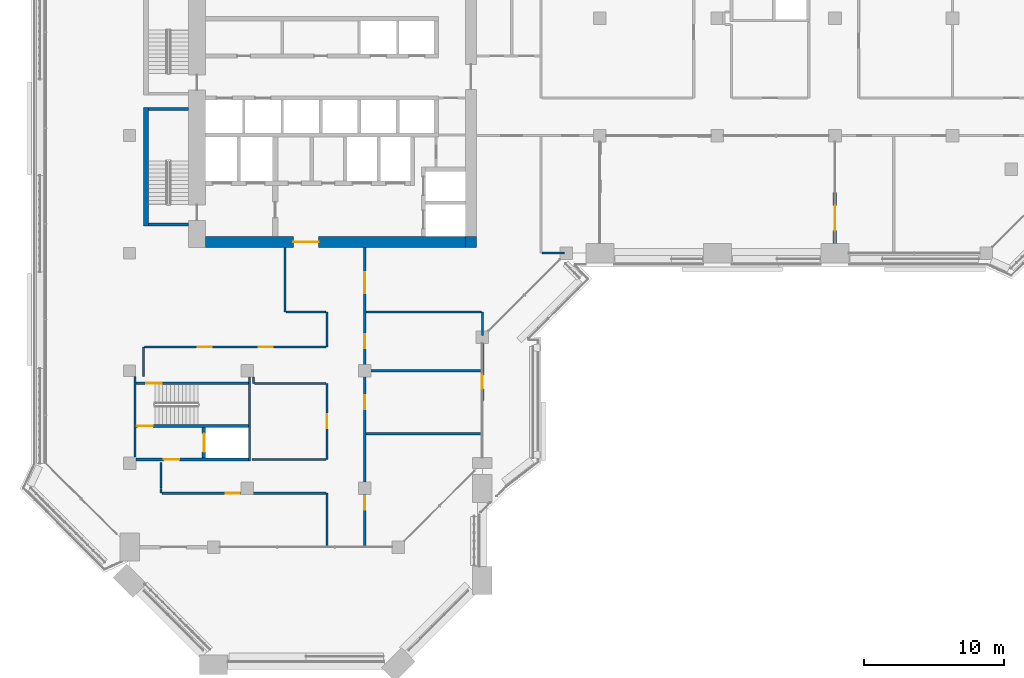
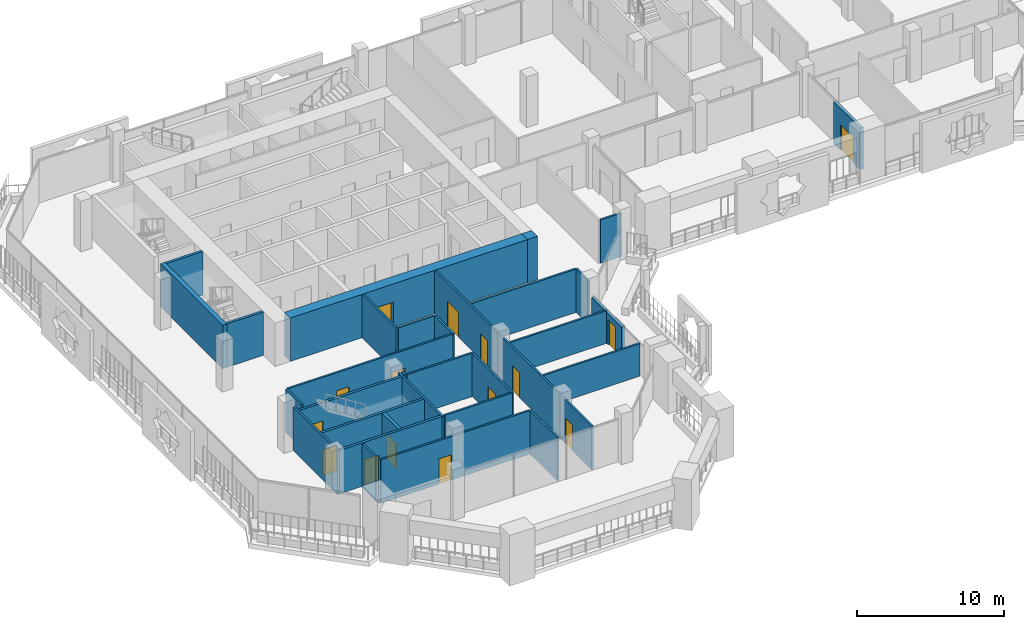
# One storey, part 12 of 24: 32 walls, 15 doors, 15 openings.
"""IFC4 building model written with IfcOpenShell, lengths in metres."""

from ifc_helpers import new_model, si_unit, direction, frame, frame_2d, origin, place, context, subcontext, project, spatial, rectangle, extrude, material, layer, layer_set, type_object, element, fill, save


model = new_model("IFC4")

# Units and contexts
model_context = context("Model", 3, precision=1e-05, world=origin(), true_north=direction((0.0, 1.0)))
body_context = subcontext(model_context, "Body", "Model", "MODEL_VIEW")
ifc_project = project(units=[si_unit("LENGTHUNIT", "METRE"), si_unit("AREAUNIT", "SQUARE_METRE"), si_unit("VOLUMEUNIT", "CUBIC_METRE"), si_unit("PLANEANGLEUNIT", "RADIAN"), si_unit("MASSUNIT", "GRAM", prefix="KILO")], contexts=[model_context])

# Site, building, storey
site_placement = place(None, origin())
site = spatial("IfcSite", under=ifc_project, at=site_placement, CompositionType="ELEMENT")
building_placement = place(site_placement, origin())
building = spatial("IfcBuilding", under=site, at=building_placement, Name="Kawkab Arch Medical Tower", CompositionType="ELEMENT")
storey_placement = place(building_placement, frame((0.0, 0.0, 218.0)))
storey = spatial("IfcBuildingStorey", under=building, at=storey_placement, Name="L50", CompositionType="ELEMENT", Elevation=218.0)

# Wall, opening, door
ifc_material_1 = material(Name="Concrete C50/60", Category="concrete")
ifc_layer_1 = layer(ifc_material_1, 0.800048828125)
ifc_layer_set_1 = layer_set([ifc_layer_1], Name="Concrete C50/60")
wall_type_1 = type_object("IfcWallType", Name="Core ring wall 800 C50/60", PredefinedType="SHEAR", material=ifc_layer_set_1)
wall_1_placement = place(storey_placement, frame((5.39990234375, -24.39990234375, 0.0), z_axis=(0.0, 0.0, 1.0), x_axis=(1.0, 0.0, 0.0)))
wall_1 = element("IfcWall", 1, at=wall_1_placement, inside=storey, type_object=wall_type_1, Name="L50 core wall", PredefinedType="SHEAR", context=body_context, shape_type="SweptSolid", body=[
    extrude(rectangle(XDim=18.60009765625, YDim=0.800048828125, at=frame_2d((9.300048828125, 0.0))), origin(), (0.0, 0.0, 1.0), 3.60009765625),
])
opening_1_placement = place(wall_1_placement, frame((6.300048828125, 0.0, 0.0)))
opening_1 = element("IfcOpeningElement", 2, at=opening_1_placement, cuts=wall_1, Name="Opening PD", PredefinedType="OPENING", context=body_context, shape_type="SweptSolid", body=[
    extrude(rectangle(XDim=1.800048828125, YDim=2.10009765625, at=frame_2d((0.89990234375, 1.050048828125))), frame((0.0, 0.409912109375, 0.0), z_axis=(0.0, -1.0, 0.0), x_axis=(1.0, 0.0, 0.0)), (0.0, 0.0, 1.0), 0.820068359375),
])
ifc_material_2 = material(Name="Hollow metal fire door leaf")
door_type_1 = type_object("IfcDoorType", Name="Core entrance doors 1800", OperationType="DOUBLE_DOOR_SINGLE_SWING", PredefinedType="DOOR", material=ifc_material_2)
door_1_placement = place(opening_1_placement, origin())
door_1 = element("IfcDoor", 3, at=door_1_placement, inside=storey, type_object=door_type_1, Name="L50 South entrance doors", OperationType="DOUBLE_DOOR_SINGLE_SWING", OverallHeight=2.10009765625, OverallWidth=1.800048828125, PredefinedType="DOOR", context=body_context, shape_type="SweptSolid", body=[
    extrude(rectangle(XDim=1.800048828125, YDim=2.10009765625, at=frame_2d((0.89990234375, 1.050048828125))), frame((0.0, 0.02490234375, 0.0), z_axis=(0.0, -1.0, 0.0), x_axis=(1.0, 0.0, 0.0)), (0.0, 0.0, 1.0), 0.050048828125),
])
fill(opening_1, door_1)

# Wall
wall_2_placement = place(storey_placement, frame((24.39990234375, -24.800048828125, 0.0), z_axis=(0.0, 0.0, 1.0), x_axis=(0.0, 1.0, 0.0)))
element("IfcWall", 4, at=wall_2_placement, inside=storey, type_object=wall_type_1, Name="L50 core wall", PredefinedType="SHEAR", context=body_context, shape_type="SweptSolid", body=[
    extrude(rectangle(XDim=0.800048828125, YDim=0.800048828125, at=frame_2d((0.39990234375, 0.0))), origin(), (0.0, 0.0, 1.0), 3.60009765625),
])

# Wall, opening, door
ifc_material_3 = material(Name="Concrete C60/75", Category="concrete")
ifc_layer_2 = layer(ifc_material_3, 0.25)
ifc_layer_set_2 = layer_set([ifc_layer_2], Name="Concrete C60/75")
wall_type_2 = type_object("IfcWallType", Name="Core shear wall 250 C60/75", PredefinedType="SHEAR", material=ifc_layer_set_2)
wall_3_placement = place(storey_placement, frame((5.300048828125, -39.85009765625, 0.0), z_axis=(0.0, 0.0, 1.0), x_axis=(0.0, 1.0, 0.0)))
wall_3 = element("IfcWall", 5, at=wall_3_placement, inside=storey, type_object=wall_type_2, Name="L50 core shear wall", PredefinedType="SHEAR", context=body_context, shape_type="SweptSolid", body=[
    extrude(rectangle(XDim=2.2001953125, YDim=0.25, at=frame_2d((1.10009765625, 0.0))), origin(), (0.0, 0.0, 1.0), 3.60009765625),
])
opening_2_placement = place(wall_3_placement, frame((0.449951171875, 0.0, 0.0)))
opening_2 = element("IfcOpeningElement", 6, at=opening_2_placement, cuts=wall_3, Name="Opening LD2", PredefinedType="OPENING", context=body_context, shape_type="SweptSolid", body=[
    extrude(rectangle(XDim=1.300048828125, YDim=2.10009765625, at=frame_2d((0.64990234375, 1.050048828125))), frame((0.0, 0.135009765625, 0.0), z_axis=(0.0, -1.0, 0.0), x_axis=(1.0, 0.0, 0.0)), (0.0, 0.0, 1.0), 0.27001953125),
])
ifc_material_4 = material(Name="Stainless steel lift door leaf", Category="steel")
door_type_2 = type_object("IfcDoorType", Name="Lift landing door 1300", OperationType="DOUBLE_DOOR_SLIDING", PredefinedType="DOOR", material=ifc_material_4)
door_2_placement = place(opening_2_placement, origin())
door_2 = element("IfcDoor", 7, at=door_2_placement, inside=storey, type_object=door_type_2, Name="L50 Lift landing door SV2", OperationType="DOUBLE_DOOR_SLIDING", OverallHeight=2.10009765625, OverallWidth=1.300048828125, PredefinedType="DOOR", context=body_context, shape_type="SweptSolid", body=[
    extrude(rectangle(XDim=1.300048828125, YDim=2.10009765625, at=frame_2d((0.64990234375, 1.050048828125))), frame((0.0, 0.02490234375, 0.0), z_axis=(0.0, -1.0, 0.0), x_axis=(1.0, 0.0, 0.0)), (0.0, 0.0, 1.0), 0.050048828125),
])
fill(opening_2, door_2)

ifc_material_5 = material(Name="Bronze clad insulated wall panel")
ifc_layer_3 = layer(ifc_material_5, 0.25)
ifc_layer_set_3 = layer_set([ifc_layer_3], Name="Bronze clad insulated wall panel")
wall_type_3 = type_object("IfcWallType", Name="External wall bay 250", PredefinedType="SOLIDWALL", material=ifc_layer_set_3)
wall_4_placement = place(storey_placement, frame((50.39990234375, -20.875, 0.0), z_axis=(0.0, 0.0, 1.0), x_axis=(0.0, -1.0, 0.0)))
wall_4 = element("IfcWall", 8, at=wall_4_placement, inside=storey, type_object=wall_type_3, Name="External wall bay L50.R04.1.2", PredefinedType="SOLIDWALL", context=body_context, shape_type="SweptSolid", body=[
    extrude(rectangle(XDim=3.625, YDim=0.25, at=frame_2d((1.8125, 0.0))), origin(), (0.0, 0.0, 1.0), 3.4599609375),
])
opening_3_placement = place(wall_4_placement, frame((0.91259765625, 0.0, 0.0)))
opening_3 = element("IfcOpeningElement", 9, at=opening_3_placement, cuts=wall_4, Name="Opening B50-701", PredefinedType="OPENING", context=body_context, shape_type="SweptSolid", body=[
    extrude(rectangle(XDim=1.800048828125, YDim=2.10009765625, at=frame_2d((0.89990234375, 1.050048828125))), frame((0.0, 0.135009765625, 0.0), z_axis=(0.0, -1.0, 0.0), x_axis=(1.0, 0.0, 0.0)), (0.0, 0.0, 1.0), 0.27001953125),
])
ifc_material_6 = material(Name="Bronze anodised aluminium door with tinted glass", Category="aluminium")
door_type_3 = type_object("IfcDoorType", Name="Double external door 1800 x 2100", OperationType="DOUBLE_DOOR_SINGLE_SWING", PredefinedType="DOOR", material=ifc_material_6)
door_3_placement = place(opening_3_placement, origin())
door_3 = element("IfcDoor", 10, at=door_3_placement, inside=storey, type_object=door_type_3, Name="External door L50.R04.1.2", OperationType="DOUBLE_DOOR_SINGLE_SWING", OverallHeight=2.10009765625, OverallWidth=1.800048828125, PredefinedType="DOOR", context=body_context, shape_type="SweptSolid", body=[
    extrude(rectangle(XDim=1.800048828125, YDim=2.10009765625, at=frame_2d((0.89990234375, 1.050048828125))), frame((0.0, 0.02490234375, 0.0), z_axis=(0.0, -1.0, 0.0), x_axis=(1.0, 0.0, 0.0)), (0.0, 0.0, 1.0), 0.050048828125),
])
fill(opening_3, door_3)

wall_5_placement = place(storey_placement, frame((25.199951171875, -35.72509765625, 0.0), z_axis=(0.0, 0.0, 1.0), x_axis=(0.0, 1.0, 0.0)))
wall_5 = element("IfcWall", 11, at=wall_5_placement, inside=storey, type_object=wall_type_3, Name="External wall bay L50.R15.1.2", PredefinedType="SOLIDWALL", context=body_context, shape_type="SweptSolid", body=[
    extrude(rectangle(XDim=4.0751953125, YDim=0.25, at=frame_2d((2.03759765625, 0.0))), origin(), (0.0, 0.0, 1.0), 2.580078125),
])
opening_4_placement = place(wall_5_placement, frame((0.83740234375, 0.0, 0.0)))
opening_4 = element("IfcOpeningElement", 12, at=opening_4_placement, cuts=wall_5, Name="Opening B50-702", PredefinedType="OPENING", context=body_context, shape_type="SweptSolid", body=[
    extrude(rectangle(XDim=1.0, YDim=2.10009765625, at=frame_2d((0.5, 1.050048828125))), frame((0.0, 0.135009765625, 0.0), z_axis=(0.0, -1.0, 0.0), x_axis=(1.0, 0.0, 0.0)), (0.0, 0.0, 1.0), 0.27001953125),
])
ifc_material_7 = material(Name="Bronze anodised aluminium door with tinted glass", Category="aluminium")
door_type_4 = type_object("IfcDoorType", Name="Single external door 1000 x 2100", OperationType="SINGLE_SWING_LEFT", PredefinedType="DOOR", material=ifc_material_7)
door_4_placement = place(opening_4_placement, origin())
door_4 = element("IfcDoor", 13, at=door_4_placement, inside=storey, type_object=door_type_4, Name="External door L50.R15.1.2", OperationType="SINGLE_SWING_LEFT", OverallHeight=2.10009765625, OverallWidth=1.0, PredefinedType="DOOR", context=body_context, shape_type="SweptSolid", body=[
    extrude(rectangle(XDim=1.0, YDim=2.10009765625, at=frame_2d((0.5, 1.050048828125))), frame((0.0, 0.02490234375, 0.0), z_axis=(0.0, -1.0, 0.0), x_axis=(1.0, 0.0, 0.0)), (0.0, 0.0, 1.0), 0.050048828125),
])
fill(opening_4, door_4)

ifc_material_8 = material(Name="Gypsum board partition on steel studs, mineral wool", Category="steel")
ifc_layer_4 = layer(ifc_material_8, 0.14990234375)
ifc_layer_set_4 = layer_set([ifc_layer_4], Name="Gypsum board partition on steel studs, mineral wool")
wall_type_4 = type_object("IfcWallType", Name="Partition 150", PredefinedType="PARTITIONING", material=ifc_layer_set_4)
wall_6_placement = place(storey_placement, frame((2.326904296875, -42.35009765625, 0.0), z_axis=(0.0, 0.0, 1.0), x_axis=(1.0, 0.0, 0.0)))
wall_6 = element("IfcWall", 14, at=wall_6_placement, inside=storey, type_object=wall_type_4, Name="Partition 150 w001", PredefinedType="PARTITIONING", context=body_context, shape_type="SweptSolid", body=[
    extrude(rectangle(XDim=11.697998046875, YDim=0.14990234375, at=frame_2d((5.84912109375, 0.0))), origin(), (0.0, 0.0, 1.0), 3.60009765625),
])
opening_5_placement = place(wall_6_placement, frame((4.549072265625, 0.0, 0.0)))
opening_5 = element("IfcOpeningElement", 15, at=opening_5_placement, cuts=wall_6, Name="Opening B50-013", PredefinedType="OPENING", context=body_context, shape_type="SweptSolid", body=[
    extrude(rectangle(XDim=1.0, YDim=2.10009765625, at=frame_2d((0.5, 1.050048828125))), frame((0.0, 0.0849609375, 0.0), z_axis=(0.0, -1.0, 0.0), x_axis=(1.0, 0.0, 0.0)), (0.0, 0.0, 1.0), 0.169921875),
])
ifc_material_9 = material(Name="Hollow metal door leaf")
door_type_5 = type_object("IfcDoorType", Name="Single door 1000x2100 FD30S", OperationType="NOTDEFINED", PredefinedType="DOOR", material=ifc_material_9)
door_5_placement = place(opening_5_placement, origin())
door_5 = element("IfcDoor", 16, at=door_5_placement, inside=storey, type_object=door_type_5, Name="Door B50-013", OperationType="SINGLE_SWING_RIGHT", OverallHeight=2.10009765625, OverallWidth=1.0, PredefinedType="DOOR", context=body_context, shape_type="SweptSolid", body=[
    extrude(rectangle(XDim=1.0, YDim=2.10009765625, at=frame_2d((0.5, 1.050048828125))), frame((0.0, 0.02490234375, 0.0), z_axis=(0.0, -1.0, 0.0), x_axis=(1.0, 0.0, 0.0)), (0.0, 0.0, 1.0), 0.050048828125),
])
fill(opening_5, door_5)

# Walls
wall_7_placement = place(storey_placement, frame((8.72998046875, -39.949951171875, 0.0), z_axis=(0.0, 0.0, 1.0), x_axis=(1.0, 0.0, 0.0)))
element("IfcWall", 17, at=wall_7_placement, inside=storey, type_object=wall_type_4, Name="Partition 150 w002", PredefinedType="PARTITIONING", context=body_context, shape_type="SweptSolid", body=[
    extrude(rectangle(XDim=5.294921875, YDim=0.14990234375, at=frame_2d((2.6474609375, 0.0))), origin(), (0.0, 0.0, 1.0), 3.60009765625),
])
wall_8_placement = place(storey_placement, frame((16.875, -38.10009765625, 0.0), z_axis=(0.0, 0.0, 1.0), x_axis=(1.0, 0.0, 0.0)))
element("IfcWall", 18, at=wall_8_placement, inside=storey, type_object=wall_type_4, Name="Partition 150 w003", PredefinedType="PARTITIONING", context=body_context, shape_type="SweptSolid", body=[
    extrude(rectangle(XDim=8.2451171875, YDim=0.14990234375, at=frame_2d((4.12255859375, 0.0))), origin(), (0.0, 0.0, 1.0), 2.699951171875),
])
wall_9_placement = place(storey_placement, frame((8.925048828125, -34.5, 0.0), z_axis=(0.0, 0.0, 1.0), x_axis=(1.0, 0.0, 0.0)))
element("IfcWall", 19, at=wall_9_placement, inside=storey, type_object=wall_type_4, Name="Partition 150 w004", PredefinedType="PARTITIONING", context=body_context, shape_type="SweptSolid", body=[
    extrude(rectangle(XDim=5.099853515625, YDim=0.14990234375, at=frame_2d((2.5498046875, 0.0))), origin(), (0.0, 0.0, 1.0), 3.60009765625),
])
wall_10_placement = place(storey_placement, frame((16.875, -33.60009765625, 0.0), z_axis=(0.0, 0.0, 1.0), x_axis=(1.0, 0.0, 0.0)))
element("IfcWall", 20, at=wall_10_placement, inside=storey, type_object=wall_type_4, Name="Partition 150 w005", PredefinedType="PARTITIONING", context=body_context, shape_type="SweptSolid", body=[
    extrude(rectangle(XDim=8.2451171875, YDim=0.14990234375, at=frame_2d((4.12255859375, 0.0))), origin(), (0.0, 0.0, 1.0), 2.699951171875),
])

# Wall, openings, doors
wall_11_placement = place(storey_placement, frame((1.074951171875, -31.906982421875, 0.0), z_axis=(0.0, 0.0, 1.0), x_axis=(1.0, 0.0, 0.0)))
wall_11 = element("IfcWall", 21, at=wall_11_placement, inside=storey, type_object=wall_type_4, Name="Partition 150 w006", PredefinedType="PARTITIONING", context=body_context, shape_type="SweptSolid", body=[
    extrude(rectangle(XDim=12.949951171875, YDim=0.14990234375, at=frame_2d((6.47509765625, 0.0))), origin(), (0.0, 0.0, 1.0), 3.60009765625),
])
opening_6_placement = place(wall_11_placement, frame((3.7919921875, 0.0, 0.0)))
opening_6 = element("IfcOpeningElement", 22, at=opening_6_placement, cuts=wall_11, Name="Opening B50-011", PredefinedType="OPENING", context=body_context, shape_type="SweptSolid", body=[
    extrude(rectangle(XDim=1.0, YDim=2.10009765625, at=frame_2d((0.5, 1.050048828125))), frame((0.0, 0.0849609375, 0.0), z_axis=(0.0, -1.0, 0.0), x_axis=(1.0, 0.0, 0.0)), (0.0, 0.0, 1.0), 0.169921875),
])
opening_7_placement = place(wall_11_placement, frame((8.157958984375, 0.0, 0.0)))
opening_7 = element("IfcOpeningElement", 23, at=opening_7_placement, cuts=wall_11, Name="Opening B50-012", PredefinedType="OPENING", context=body_context, shape_type="SweptSolid", body=[
    extrude(rectangle(XDim=1.0, YDim=2.10009765625, at=frame_2d((0.5, 1.050048828125))), frame((0.0, 0.0849609375, 0.0), z_axis=(0.0, -1.0, 0.0), x_axis=(1.0, 0.0, 0.0)), (0.0, 0.0, 1.0), 0.169921875),
])
door_6_placement = place(opening_6_placement, origin())
door_6 = element("IfcDoor", 24, at=door_6_placement, inside=storey, type_object=door_type_5, Name="Door B50-011", OperationType="SINGLE_SWING_LEFT", OverallHeight=2.10009765625, OverallWidth=1.0, PredefinedType="DOOR", context=body_context, shape_type="SweptSolid", body=[
    extrude(rectangle(XDim=1.0, YDim=2.10009765625, at=frame_2d((0.5, 1.050048828125))), frame((0.0, 0.02490234375, 0.0), z_axis=(0.0, -1.0, 0.0), x_axis=(1.0, 0.0, 0.0)), (0.0, 0.0, 1.0), 0.050048828125),
])
fill(opening_6, door_6)
door_7_placement = place(opening_7_placement, origin())
door_7 = element("IfcDoor", 25, at=door_7_placement, inside=storey, type_object=door_type_5, Name="Door B50-012", OperationType="SINGLE_SWING_RIGHT", OverallHeight=2.10009765625, OverallWidth=1.0, PredefinedType="DOOR", context=body_context, shape_type="SweptSolid", body=[
    extrude(rectangle(XDim=1.0, YDim=2.10009765625, at=frame_2d((0.5, 1.050048828125))), frame((0.0, 0.02490234375, 0.0), z_axis=(0.0, -1.0, 0.0), x_axis=(1.0, 0.0, 0.0)), (0.0, 0.0, 1.0), 0.050048828125),
])
fill(opening_7, door_7)

# Walls
wall_12_placement = place(storey_placement, frame((11.175048828125, -29.39990234375, 0.0), z_axis=(0.0, 0.0, 1.0), x_axis=(1.0, 0.0, 0.0)))
element("IfcWall", 26, at=wall_12_placement, inside=storey, type_object=wall_type_4, Name="Partition 150 w007", PredefinedType="PARTITIONING", context=body_context, shape_type="SweptSolid", body=[
    extrude(rectangle(XDim=2.849853515625, YDim=0.14990234375, at=frame_2d((1.4248046875, 0.0))), origin(), (0.0, 0.0, 1.0), 3.60009765625),
])
wall_13_placement = place(storey_placement, frame((16.875, -29.39990234375, 0.0), z_axis=(0.0, 0.0, 1.0), x_axis=(1.0, 0.0, 0.0)))
element("IfcWall", 27, at=wall_13_placement, inside=storey, type_object=wall_type_4, Name="Partition 150 w008", PredefinedType="PARTITIONING", context=body_context, shape_type="SweptSolid", body=[
    extrude(rectangle(XDim=8.25, YDim=0.14990234375, at=frame_2d((4.125, 0.0))), origin(), (0.0, 0.0, 1.0), 3.60009765625),
])
wall_14_placement = place(storey_placement, frame((29.47509765625, -25.199951171875, 0.0), z_axis=(0.0, 0.0, 1.0), x_axis=(1.0, 0.0, 0.0)))
element("IfcWall", 28, at=wall_14_placement, inside=storey, type_object=wall_type_4, Name="Partition 150 w009", PredefinedType="PARTITIONING", context=body_context, shape_type="SweptSolid", body=[
    extrude(rectangle(XDim=1.61181640625, YDim=0.14990234375, at=frame_2d((0.805908203125, 0.0))), origin(), (0.0, 0.0, 1.0), 3.60009765625),
])
wall_15_placement = place(storey_placement, frame((1.0, -34.027099609375, 0.0), z_axis=(0.0, 0.0, 1.0), x_axis=(0.0, 1.0, 0.0)))
element("IfcWall", 29, at=wall_15_placement, inside=storey, type_object=wall_type_4, Name="Partition 150 w020", PredefinedType="PARTITIONING", context=body_context, shape_type="SweptSolid", body=[
    extrude(rectangle(XDim=2.1201171875, YDim=0.14990234375, at=frame_2d((1.06005859375, 0.0))), origin(), (0.0, 0.0, 1.0), 3.60009765625),
])
wall_16_placement = place(storey_placement, frame((2.25, -42.347900390625, 0.0), z_axis=(0.0, 0.0, 1.0), x_axis=(0.0, 1.0, 0.0)))
element("IfcWall", 30, at=wall_16_placement, inside=storey, type_object=wall_type_4, Name="Partition 150 w021", PredefinedType="PARTITIONING", context=body_context, shape_type="SweptSolid", body=[
    extrude(rectangle(XDim=0.347900390625, YDim=0.14990234375, at=frame_2d((0.173828125, 0.0))), origin(), (0.0, 0.0, 1.0), 3.60009765625),
])
wall_17_placement = place(storey_placement, frame((2.25, -41.97998046875, 0.0), z_axis=(0.0, 0.0, 1.0), x_axis=(0.0, 1.0, 0.0)))
element("IfcWall", 31, at=wall_17_placement, inside=storey, type_object=wall_type_4, Name="Partition 150 w022", PredefinedType="PARTITIONING", context=body_context, shape_type="SweptSolid", body=[
    extrude(rectangle(XDim=1.830078125, YDim=0.14990234375, at=frame_2d((0.9150390625, 0.0))), origin(), (0.0, 0.0, 1.0), 3.60009765625),
])
wall_18_placement = place(storey_placement, frame((8.85009765625, -34.5, 0.0), z_axis=(0.0, 0.0, 1.0), x_axis=(0.0, 1.0, 0.0)))
element("IfcWall", 32, at=wall_18_placement, inside=storey, type_object=wall_type_4, Name="Partition 150 w023", PredefinedType="PARTITIONING", context=body_context, shape_type="SweptSolid", body=[
    extrude(rectangle(XDim=0.448974609375, YDim=0.14990234375, at=frame_2d((0.224609375, 0.0))), origin(), (0.0, 0.0, 1.0), 3.60009765625),
])
wall_19_placement = place(storey_placement, frame((11.10009765625, -29.39990234375, 0.0), z_axis=(0.0, 0.0, 1.0), x_axis=(0.0, 1.0, 0.0)))
element("IfcWall", 33, at=wall_19_placement, inside=storey, type_object=wall_type_4, Name="Partition 150 w024", PredefinedType="PARTITIONING", context=body_context, shape_type="SweptSolid", body=[
    extrude(rectangle(XDim=4.599853515625, YDim=0.14990234375, at=frame_2d((2.2998046875, 0.0))), origin(), (0.0, 0.0, 1.0), 3.60009765625),
])
wall_20_placement = place(storey_placement, frame((14.10009765625, -46.1201171875, 0.0), z_axis=(0.0, 0.0, 1.0), x_axis=(0.0, 1.0, 0.0)))
element("IfcWall", 34, at=wall_20_placement, inside=storey, type_object=wall_type_4, Name="Partition 150 w025", PredefinedType="PARTITIONING", context=body_context, shape_type="SweptSolid", body=[
    extrude(rectangle(XDim=3.77001953125, YDim=0.14990234375, at=frame_2d((1.885009765625, 0.0))), origin(), (0.0, 0.0, 1.0), 3.60009765625),
])

# Wall, opening, door
wall_21_placement = place(storey_placement, frame((14.10009765625, -39.949951171875, 0.0), z_axis=(0.0, 0.0, 1.0), x_axis=(0.0, 1.0, 0.0)))
wall_21 = element("IfcWall", 35, at=wall_21_placement, inside=storey, type_object=wall_type_4, Name="Partition 150 w026", PredefinedType="PARTITIONING", context=body_context, shape_type="SweptSolid", body=[
    extrude(rectangle(XDim=5.449951171875, YDim=0.14990234375, at=frame_2d((2.72509765625, 0.0))), origin(), (0.0, 0.0, 1.0), 3.60009765625),
])
opening_8_placement = place(wall_21_placement, frame((2.22509765625, 0.0, 0.0)))
opening_8 = element("IfcOpeningElement", 36, at=opening_8_placement, cuts=wall_21, Name="Opening B50-019", PredefinedType="OPENING", context=body_context, shape_type="SweptSolid", body=[
    extrude(rectangle(XDim=1.0, YDim=2.10009765625, at=frame_2d((0.5, 1.050048828125))), frame((0.0, 0.0849609375, 0.0), z_axis=(0.0, -1.0, 0.0), x_axis=(1.0, 0.0, 0.0)), (0.0, 0.0, 1.0), 0.169921875),
])
door_8_placement = place(opening_8_placement, origin())
door_8 = element("IfcDoor", 37, at=door_8_placement, inside=storey, type_object=door_type_5, Name="Door B50-019", OperationType="SINGLE_SWING_LEFT", OverallHeight=2.10009765625, OverallWidth=1.0, PredefinedType="DOOR", context=body_context, shape_type="SweptSolid", body=[
    extrude(rectangle(XDim=1.0, YDim=2.10009765625, at=frame_2d((0.5, 1.050048828125))), frame((0.0, 0.02490234375, 0.0), z_axis=(0.0, -1.0, 0.0), x_axis=(1.0, 0.0, 0.0)), (0.0, 0.0, 1.0), 0.050048828125),
])
fill(opening_8, door_8)

# Wall
wall_22_placement = place(storey_placement, frame((14.10009765625, -31.906982421875, 0.0), z_axis=(0.0, 0.0, 1.0), x_axis=(0.0, 1.0, 0.0)))
element("IfcWall", 38, at=wall_22_placement, inside=storey, type_object=wall_type_4, Name="Partition 150 w027", PredefinedType="PARTITIONING", context=body_context, shape_type="SweptSolid", body=[
    extrude(rectangle(XDim=2.507080078125, YDim=0.14990234375, at=frame_2d((1.25341796875, 0.0))), origin(), (0.0, 0.0, 1.0), 3.60009765625),
])

# Wall, openings, doors
wall_23_placement = place(storey_placement, frame((16.800048828125, -46.1201171875, 0.0), z_axis=(0.0, 0.0, 1.0), x_axis=(0.0, 1.0, 0.0)))
wall_23 = element("IfcWall", 39, at=wall_23_placement, inside=storey, type_object=wall_type_4, Name="Partition 150 w028", PredefinedType="PARTITIONING", context=body_context, shape_type="SweptSolid", body=[
    extrude(rectangle(XDim=21.320068359375, YDim=0.14990234375, at=frame_2d((10.66015625, 0.0))), origin(), (0.0, 0.0, 1.0), 3.60009765625),
])
opening_9_placement = place(wall_23_placement, frame((18.070068359375, 0.0, 0.0)))
opening_9 = element("IfcOpeningElement", 40, at=opening_9_placement, cuts=wall_23, Name="Opening B50-002", PredefinedType="OPENING", context=body_context, shape_type="SweptSolid", body=[
    extrude(rectangle(XDim=1.5, YDim=2.10009765625, at=frame_2d((0.75, 1.050048828125))), frame((0.0, 0.0849609375, 0.0), z_axis=(0.0, -1.0, 0.0), x_axis=(1.0, 0.0, 0.0)), (0.0, 0.0, 1.0), 0.169921875),
])
opening_10_placement = place(wall_23_placement, frame((14.1201171875, 0.0, 0.0)))
opening_10 = element("IfcOpeningElement", 41, at=opening_10_placement, cuts=wall_23, Name="Opening B50-014", PredefinedType="OPENING", context=body_context, shape_type="SweptSolid", body=[
    extrude(rectangle(XDim=1.0, YDim=2.10009765625, at=frame_2d((0.5, 1.050048828125))), frame((0.0, 0.0849609375, 0.0), z_axis=(0.0, -1.0, 0.0), x_axis=(1.0, 0.0, 0.0)), (0.0, 0.0, 1.0), 0.169921875),
])
opening_11_placement = place(wall_23_placement, frame((9.77001953125, 0.0, 0.0)))
opening_11 = element("IfcOpeningElement", 42, at=opening_11_placement, cuts=wall_23, Name="Opening B50-015", PredefinedType="OPENING", context=body_context, shape_type="SweptSolid", body=[
    extrude(rectangle(XDim=1.0, YDim=2.10009765625, at=frame_2d((0.5, 1.050048828125))), frame((0.0, 0.0849609375, 0.0), z_axis=(0.0, -1.0, 0.0), x_axis=(1.0, 0.0, 0.0)), (0.0, 0.0, 1.0), 0.169921875),
])
opening_12_placement = place(wall_23_placement, frame((2.570068359375, 0.0, 0.0)))
opening_12 = element("IfcOpeningElement", 43, at=opening_12_placement, cuts=wall_23, Name="Opening B50-016", PredefinedType="OPENING", context=body_context, shape_type="SweptSolid", body=[
    extrude(rectangle(XDim=1.0, YDim=2.10009765625, at=frame_2d((0.5, 1.050048828125))), frame((0.0, 0.0849609375, 0.0), z_axis=(0.0, -1.0, 0.0), x_axis=(1.0, 0.0, 0.0)), (0.0, 0.0, 1.0), 0.169921875),
])
ifc_material_10 = material(Name="Hollow metal door leaf")
door_type_6 = type_object("IfcDoorType", Name="Double door 1500x2100 FD30S", OperationType="NOTDEFINED", PredefinedType="DOOR", material=ifc_material_10)
door_9_placement = place(opening_9_placement, origin())
door_9 = element("IfcDoor", 44, at=door_9_placement, inside=storey, type_object=door_type_6, Name="Door B50-002", OperationType="DOUBLE_DOOR_SINGLE_SWING", OverallHeight=2.10009765625, OverallWidth=1.5, PredefinedType="DOOR", context=body_context, shape_type="SweptSolid", body=[
    extrude(rectangle(XDim=1.5, YDim=2.10009765625, at=frame_2d((0.75, 1.050048828125))), frame((0.0, 0.02490234375, 0.0), z_axis=(0.0, -1.0, 0.0), x_axis=(1.0, 0.0, 0.0)), (0.0, 0.0, 1.0), 0.050048828125),
])
fill(opening_9, door_9)
door_10_placement = place(opening_10_placement, origin())
door_10 = element("IfcDoor", 45, at=door_10_placement, inside=storey, type_object=door_type_5, Name="Door B50-014", OperationType="SINGLE_SWING_LEFT", OverallHeight=2.10009765625, OverallWidth=1.0, PredefinedType="DOOR", context=body_context, shape_type="SweptSolid", body=[
    extrude(rectangle(XDim=1.0, YDim=2.10009765625, at=frame_2d((0.5, 1.050048828125))), frame((0.0, 0.02490234375, 0.0), z_axis=(0.0, -1.0, 0.0), x_axis=(1.0, 0.0, 0.0)), (0.0, 0.0, 1.0), 0.050048828125),
])
fill(opening_10, door_10)
door_11_placement = place(opening_11_placement, origin())
door_11 = element("IfcDoor", 46, at=door_11_placement, inside=storey, type_object=door_type_5, Name="Door B50-015", OperationType="SINGLE_SWING_RIGHT", OverallHeight=2.10009765625, OverallWidth=1.0, PredefinedType="DOOR", context=body_context, shape_type="SweptSolid", body=[
    extrude(rectangle(XDim=1.0, YDim=2.10009765625, at=frame_2d((0.5, 1.050048828125))), frame((0.0, 0.02490234375, 0.0), z_axis=(0.0, -1.0, 0.0), x_axis=(1.0, 0.0, 0.0)), (0.0, 0.0, 1.0), 0.050048828125),
])
fill(opening_11, door_11)
door_12_placement = place(opening_12_placement, origin())
door_12 = element("IfcDoor", 47, at=door_12_placement, inside=storey, type_object=door_type_5, Name="Door B50-016", OperationType="SINGLE_SWING_RIGHT", OverallHeight=2.10009765625, OverallWidth=1.0, PredefinedType="DOOR", context=body_context, shape_type="SweptSolid", body=[
    extrude(rectangle(XDim=1.0, YDim=2.10009765625, at=frame_2d((0.5, 1.050048828125))), frame((0.0, 0.02490234375, 0.0), z_axis=(0.0, -1.0, 0.0), x_axis=(1.0, 0.0, 0.0)), (0.0, 0.0, 1.0), 0.050048828125),
])
fill(opening_12, door_12)

# Walls
wall_24_placement = place(storey_placement, frame((25.199951171875, -31.0869140625, 0.0), z_axis=(0.0, 0.0, 1.0), x_axis=(0.0, 1.0, 0.0)))
element("IfcWall", 48, at=wall_24_placement, inside=storey, type_object=wall_type_4, Name="Partition 150 w029", PredefinedType="PARTITIONING", context=body_context, shape_type="SweptSolid", body=[
    extrude(rectangle(XDim=1.68701171875, YDim=0.14990234375, at=frame_2d((0.843505859375, 0.0))), origin(), (0.0, 0.0, 1.0), 3.60009765625),
])
ifc_material_11 = material(Name="Concrete C50/60", Category="concrete")
ifc_layer_5 = layer(ifc_material_11, 0.14990234375)
ifc_layer_set_5 = layer_set([ifc_layer_5], Name="Concrete C50/60")
wall_type_5 = type_object("IfcWallType", Name="Stair enclosure wall 150 C50/60", PredefinedType="SHEAR", material=ifc_layer_set_5)
wall_25_placement = place(storey_placement, frame((0.375, -40.050048828125, 0.0), z_axis=(0.0, 0.0, 1.0), x_axis=(0.0, 1.0, 0.0)))
element("IfcWall", 49, at=wall_25_placement, inside=storey, type_object=wall_type_5, Name="L50 stair enclosure wall", PredefinedType="SHEAR", context=body_context, shape_type="SweptSolid", body=[
    extrude(rectangle(XDim=6.025146484375, YDim=0.14990234375, at=frame_2d((3.0126953125, 0.0))), origin(), (0.0, 0.0, 1.0), 3.60009765625),
])
wall_26_placement = place(storey_placement, frame((8.574951171875, -40.050048828125, 0.0), z_axis=(0.0, 0.0, 1.0), x_axis=(0.0, 1.0, 0.0)))
element("IfcWall", 50, at=wall_26_placement, inside=storey, type_object=wall_type_5, Name="L50 stair enclosure wall", PredefinedType="SHEAR", context=body_context, shape_type="SweptSolid", body=[
    extrude(rectangle(XDim=6.0, YDim=0.14990234375, at=frame_2d((3.0, 0.0))), origin(), (0.0, 0.0, 1.0), 3.60009765625),
])
ifc_material_12 = material(Name="Concrete C50/60", Category="concrete")
ifc_layer_6 = layer(ifc_material_12, 0.199951171875)
ifc_layer_set_6 = layer_set([ifc_layer_6], Name="Concrete C50/60")
wall_type_6 = type_object("IfcWallType", Name="Stair enclosure wall 200 C50/60", PredefinedType="SHEAR", material=ifc_layer_set_6)
for number, where, z_axis, x_axis, name in (
    (51, (1.35009765625, -14.89990234375, 0.0), (0.0, 0.0, 1.0), (1.0, 0.0, 0.0), "L50 stair enclosure wall"),
    (52, (1.35009765625, -23.14990234375, 0.0), (0.0, 0.0, 1.0), (1.0, 0.0, 0.0), "L50 stair enclosure wall"),
):
    element("IfcWall", number, at=place(storey_placement, frame(where, z_axis=z_axis, x_axis=x_axis)), inside=storey, type_object=wall_type_6, Name=name, PredefinedType="SHEAR", context=body_context, shape_type="SweptSolid", body=[
        extrude(rectangle(XDim=2.849853515625, YDim=0.199951171875, at=frame_2d((1.4248046875, 0.0))), origin(), (0.0, 0.0, 1.0), 3.60009765625),
    ])

# Wall, opening, door
wall_27_placement = place(storey_placement, frame((0.449951171875, -34.5, 0.0), z_axis=(0.0, 0.0, 1.0), x_axis=(1.0, 0.0, 0.0)))
wall_27 = element("IfcWall", 53, at=wall_27_placement, inside=storey, type_object=wall_type_6, Name="L50 stair enclosure wall", PredefinedType="SHEAR", context=body_context, shape_type="SweptSolid", body=[
    extrude(rectangle(XDim=8.050048828125, YDim=0.199951171875, at=frame_2d((4.02490234375, 0.0))), origin(), (0.0, 0.0, 1.0), 3.60009765625),
])
opening_13_placement = place(wall_27_placement, frame((0.75, 0.0, 0.0)))
opening_13 = element("IfcOpeningElement", 54, at=opening_13_placement, cuts=wall_27, Name="Opening SD", PredefinedType="OPENING", context=body_context, shape_type="SweptSolid", body=[
    extrude(rectangle(XDim=1.10009765625, YDim=2.10009765625, at=frame_2d((0.550048828125, 1.050048828125))), frame((0.0, 0.10986328125, 0.0), z_axis=(0.0, -1.0, 0.0), x_axis=(1.0, 0.0, 0.0)), (0.0, 0.0, 1.0), 0.219970703125),
])
ifc_material_13 = material(Name="Hollow metal fire door leaf")
door_type_7 = type_object("IfcDoorType", Name="Exit stair door 1100", OperationType="SINGLE_SWING_LEFT", PredefinedType="DOOR", material=ifc_material_13)
door_13_placement = place(opening_13_placement, origin())
door_13 = element("IfcDoor", 55, at=door_13_placement, inside=storey, type_object=door_type_7, Name="L50 Exit stair ST6 door", OperationType="SINGLE_SWING_LEFT", OverallHeight=2.10009765625, OverallWidth=1.10009765625, PredefinedType="DOOR", context=body_context, shape_type="SweptSolid", body=[
    extrude(rectangle(XDim=1.10009765625, YDim=2.10009765625, at=frame_2d((0.550048828125, 1.050048828125))), frame((0.0, 0.02490234375, 0.0), z_axis=(0.0, -1.0, 0.0), x_axis=(1.0, 0.0, 0.0)), (0.0, 0.0, 1.0), 0.050048828125),
])
fill(opening_13, door_13)

wall_28_placement = place(storey_placement, frame((0.449951171875, -37.550048828125, 0.0), z_axis=(0.0, 0.0, 1.0), x_axis=(1.0, 0.0, 0.0)))
wall_28 = element("IfcWall", 56, at=wall_28_placement, inside=storey, type_object=wall_type_6, Name="L50 stair enclosure wall", PredefinedType="SHEAR", context=body_context, shape_type="SweptSolid", body=[
    extrude(rectangle(XDim=8.050048828125, YDim=0.199951171875, at=frame_2d((4.02490234375, 0.0))), origin(), (0.0, 0.0, 1.0), 3.60009765625),
])
opening_14_placement = place(wall_28_placement, frame((0.10009765625, 0.0, 0.0)))
opening_14 = element("IfcOpeningElement", 57, at=opening_14_placement, cuts=wall_28, Name="Opening SD", PredefinedType="OPENING", context=body_context, shape_type="SweptSolid", body=[
    extrude(rectangle(XDim=1.10009765625, YDim=2.10009765625, at=frame_2d((0.550048828125, 1.050048828125))), frame((0.0, 0.10986328125, 0.0), z_axis=(0.0, -1.0, 0.0), x_axis=(1.0, 0.0, 0.0)), (0.0, 0.0, 1.0), 0.219970703125),
])
door_14_placement = place(opening_14_placement, frame((1.10009765625, 0.0, 0.0), z_axis=(0.0, 0.0, 1.0), x_axis=(-1.0, 0.0, 0.0)))
door_14 = element("IfcDoor", 58, at=door_14_placement, inside=storey, type_object=door_type_7, Name="L50 Exit stair ST6 lobby door", OperationType="SINGLE_SWING_LEFT", OverallHeight=2.10009765625, OverallWidth=1.10009765625, PredefinedType="DOOR", context=body_context, shape_type="SweptSolid", body=[
    extrude(rectangle(XDim=1.10009765625, YDim=2.10009765625, at=frame_2d((0.550048828125, 1.050048828125))), frame((0.0, 0.02490234375, 0.0), z_axis=(0.0, -1.0, 0.0), x_axis=(1.0, 0.0, 0.0)), (0.0, 0.0, 1.0), 0.050048828125),
])
fill(opening_14, door_14)

wall_29_placement = place(storey_placement, frame((0.449951171875, -39.949951171875, 0.0), z_axis=(0.0, 0.0, 1.0), x_axis=(1.0, 0.0, 0.0)))
wall_29 = element("IfcWall", 59, at=wall_29_placement, inside=storey, type_object=wall_type_6, Name="L50 stair enclosure wall", PredefinedType="SHEAR", context=body_context, shape_type="SweptSolid", body=[
    extrude(rectangle(XDim=8.050048828125, YDim=0.199951171875, at=frame_2d((4.02490234375, 0.0))), origin(), (0.0, 0.0, 1.0), 3.60009765625),
])
opening_15_placement = place(wall_29_placement, frame((2.0, 0.0, 0.0)))
opening_15 = element("IfcOpeningElement", 60, at=opening_15_placement, cuts=wall_29, Name="Opening FD", PredefinedType="OPENING", context=body_context, shape_type="SweptSolid", body=[
    extrude(rectangle(XDim=1.10009765625, YDim=2.10009765625, at=frame_2d((0.550048828125, 1.050048828125))), frame((0.0, 0.10986328125, 0.0), z_axis=(0.0, -1.0, 0.0), x_axis=(1.0, 0.0, 0.0)), (0.0, 0.0, 1.0), 0.219970703125),
])
ifc_material_14 = material(Name="Hollow metal fire door leaf")
door_type_8 = type_object("IfcDoorType", Name="Firefighting lobby door 1100", OperationType="SINGLE_SWING_LEFT", PredefinedType="DOOR", material=ifc_material_14)
door_15_placement = place(opening_15_placement, origin())
door_15 = element("IfcDoor", 61, at=door_15_placement, inside=storey, type_object=door_type_8, Name="L50 Service lift lobby door SV2", OperationType="SINGLE_SWING_LEFT", OverallHeight=2.10009765625, OverallWidth=1.10009765625, PredefinedType="DOOR", context=body_context, shape_type="SweptSolid", body=[
    extrude(rectangle(XDim=1.10009765625, YDim=2.10009765625, at=frame_2d((0.550048828125, 1.050048828125))), frame((0.0, 0.02490234375, 0.0), z_axis=(0.0, -1.0, 0.0), x_axis=(1.0, 0.0, 0.0)), (0.0, 0.0, 1.0), 0.050048828125),
])
fill(opening_15, door_15)

# Wall
ifc_material_15 = material(Name="Concrete C50/60", Category="concrete")
ifc_layer_7 = layer(ifc_material_15, 0.35009765625)
ifc_layer_set_7 = layer_set([ifc_layer_7], Name="Concrete C50/60")
wall_type_7 = type_object("IfcWallType", Name="Stair enclosure wall 350 C50/60", PredefinedType="SHEAR", material=ifc_layer_set_7)
wall_30_placement = place(storey_placement, frame((1.175048828125, -23.25, 0.0), z_axis=(0.0, 0.0, 1.0), x_axis=(0.0, 1.0, 0.0)))
element("IfcWall", 62, at=wall_30_placement, inside=storey, type_object=wall_type_7, Name="L50 stair enclosure wall", PredefinedType="SHEAR", context=body_context, shape_type="SweptSolid", body=[
    extrude(rectangle(XDim=8.449951171875, YDim=0.35009765625, at=frame_2d((4.22509765625, 0.0))), origin(), (0.0, 0.0, 1.0), 3.60009765625),
])

save(model, "model.ifc")
